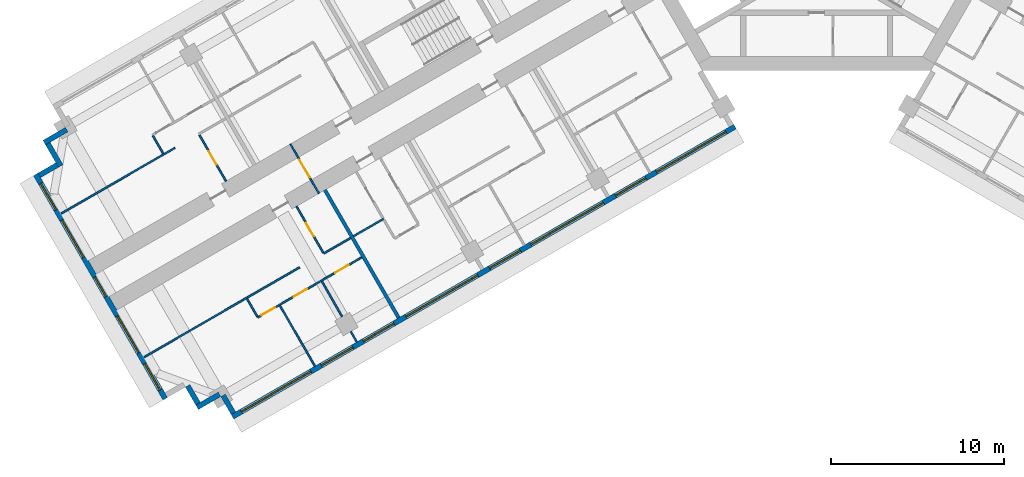
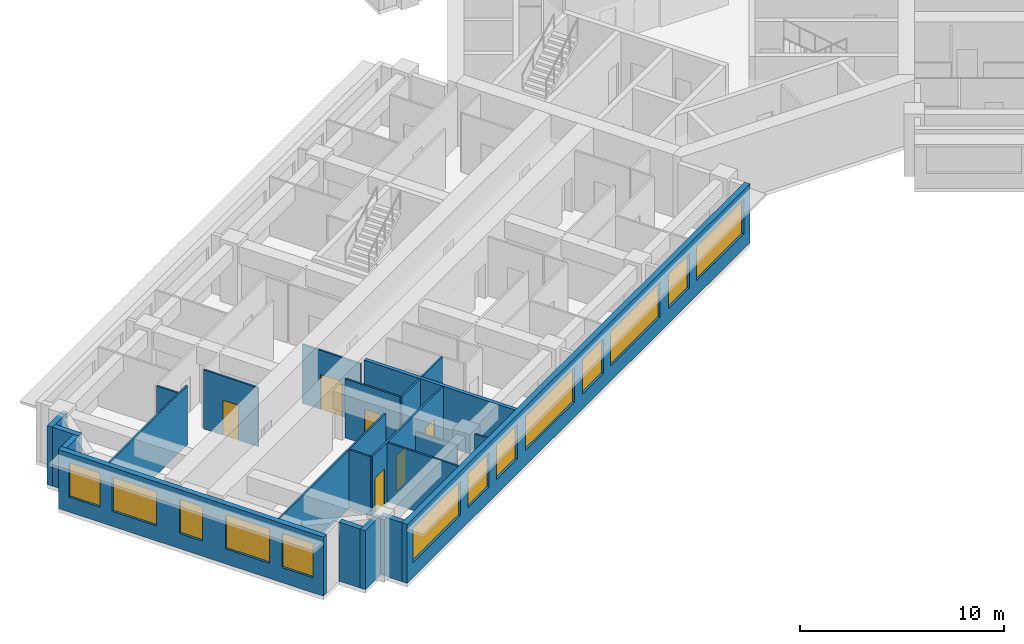
# One storey, part 3 of 14: 22 walls, 13 windows, 6 doors, 19 openings.
"""IFC4 building model written with IfcOpenShell, lengths in metres."""

import ifcopenshell
import ifcopenshell.guid

model = None  # the IFC model being written
_history = None  # IfcOwnerHistory: only IFC2X3 demands one
_inside = {}  # id of a spatial element -> (the spatial element, [elements in it])
_under = {}  # id of a project, library or spatial element -> (it, [spatial elements below it])
_declared = {}  # id of a project -> (the project, [libraries it declares])
_typed = {}  # id of a type object -> (the type object, [elements of that type])
_made_of = {}  # id of a material, layer set ... -> (it, [elements and type objects made of it])


def new_model(schema):
    """Start an empty IFC model of exactly this schema.

    Asked for "IFC4X3", IfcOpenShell would pick the latest addendum, in which some entities
    have other attributes; the version numbers below select the first issue.
    IFC2X3 requires an IfcOwnerHistory on every rooted entity: one is made here for all.
    """
    global model, _history
    if schema == "IFC4X3":
        model = ifcopenshell.file(schema_version=(4, 3, 0, 0))
    else:
        model = ifcopenshell.file(schema=schema)
    _inside.clear()
    _under.clear()
    _declared.clear()
    _typed.clear()
    _made_of.clear()
    _history = None
    if model.schema == "IFC2X3":
        org = make("IfcOrganization", Name="unknown")
        user = make(
            "IfcPersonAndOrganization",
            ThePerson=make("IfcPerson", FamilyName="unknown"),
            TheOrganization=org,
        )
        app = make(
            "IfcApplication",
            ApplicationDeveloper=org,
            Version="unknown",
            ApplicationFullName="unknown",
            ApplicationIdentifier="unknown",
        )
        _history = make(
            "IfcOwnerHistory",
            OwningUser=user,
            OwningApplication=app,
            ChangeAction="ADDED",
            CreationDate=0,
        )
    return model


def make(cls, **values):
    """One entity of the class cls with the attributes given. An attribute that is None is left unset."""
    return model.create_entity(
        cls, **{name: value for name, value in values.items() if value is not None}
    )


def rooted(cls, **values):
    """An entity with a GlobalId (a new one), such as an element, a storey or a relation."""
    return make(cls, GlobalId=ifcopenshell.guid.new(), OwnerHistory=_history, **values)


def si_unit(unit_type, name, prefix=None):
    """IfcSIUnit, for example si_unit("LENGTHUNIT", "METRE", prefix="MILLI")."""
    return make("IfcSIUnit", UnitType=unit_type, Prefix=prefix, Name=name)


def assignment(units):
    """IfcUnitAssignment: the units of a project."""
    return None if units is None else make("IfcUnitAssignment", Units=units)


def point(xyz):
    """IfcCartesianPoint."""
    return None if xyz is None else make("IfcCartesianPoint", Coordinates=xyz)


def direction(xyz):
    """IfcDirection."""
    return None if xyz is None else make("IfcDirection", DirectionRatios=xyz)


def frame(location, z_axis=None, x_axis=None):
    """IfcAxis2Placement3D, a coordinate frame: its origin and axes. An axis left out is left unset."""
    return make(
        "IfcAxis2Placement3D",
        Location=point(location),
        Axis=direction(z_axis),
        RefDirection=direction(x_axis),
    )


def frame_2d(location, x_axis=None):
    """IfcAxis2Placement2D, a coordinate frame in the plane: its origin and x axis."""
    return make(
        "IfcAxis2Placement2D", Location=point(location), RefDirection=direction(x_axis)
    )


def origin():
    """The frame at (0, 0, 0) with its axes left unset."""
    return frame((0.0, 0.0, 0.0))


def place(relative_to, where):
    """IfcLocalPlacement: puts the frame where relative to a parent placement (None: the world)."""
    return make(
        "IfcLocalPlacement", PlacementRelTo=relative_to, RelativePlacement=where
    )


def context(
    kind, dimensions, precision=None, world=None, true_north=None, identifier=None
):
    """IfcGeometricRepresentationContext, for example the 3D "Model" context."""
    return make(
        "IfcGeometricRepresentationContext",
        ContextIdentifier=identifier,
        ContextType=kind,
        CoordinateSpaceDimension=dimensions,
        Precision=precision,
        WorldCoordinateSystem=world,
        TrueNorth=true_north,
    )


def subcontext(parent, identifier, kind, view, scale=None):
    """IfcGeometricRepresentationSubContext, for example "Body" below "Model"."""
    return make(
        "IfcGeometricRepresentationSubContext",
        ContextIdentifier=identifier,
        ContextType=kind,
        ParentContext=parent,
        TargetScale=scale,
        TargetView=view,
    )


def project(units=None, contexts=None):
    """IfcProject with its units and contexts."""
    return rooted(
        "IfcProject",
        Name="project",
        RepresentationContexts=contexts,
        UnitsInContext=assignment(units),
    )


def spatial(cls, under=None, at=None, **own):
    """A site, building, storey or space (cls), placed at a placement, below another one or the project."""
    s = rooted(cls, ObjectPlacement=at, **own)
    if under is not None:
        _under.setdefault(under.id(), (under, []))[1].append(s)
    return s


def profile(cls, at=None, kind="AREA", **sizes):
    """A parametric profile (cls). Its sizes go by their IFC names, for example OverallWidth=200.0."""
    return make(cls, ProfileType=kind, Position=at, **sizes)


def rectangle(**sizes):
    """IfcRectangleProfileDef."""
    return profile("IfcRectangleProfileDef", **sizes)


def extrude(swept, where, along, depth):
    """IfcExtrudedAreaSolid: the profile swept, set in the frame where, extruded along a direction by depth."""
    return make(
        "IfcExtrudedAreaSolid",
        SweptArea=swept,
        Position=where,
        ExtrudedDirection=direction(along),
        Depth=depth,
    )


def shape(context_of_items, identifier, shape_type, items):
    """IfcShapeRepresentation: the items that make up one representation, for example the "Body"."""
    return make(
        "IfcShapeRepresentation",
        ContextOfItems=context_of_items,
        RepresentationIdentifier=identifier,
        RepresentationType=shape_type,
        Items=items,
    )


def material(Name=None, Category=None):
    """IfcMaterial."""
    return make("IfcMaterial", Name=Name, Category=Category)


def layer(
    of_material, thickness, ventilated=None, Name=None, Category=None, Priority=None
):
    """IfcMaterialLayer: one layer of a wall or slab, of a material (None: an air gap)."""
    return make(
        "IfcMaterialLayer",
        Material=of_material,
        LayerThickness=thickness,
        IsVentilated=ventilated,
        Name=Name,
        Category=Category,
        Priority=Priority,
    )


def layer_set(layers, Name=None):
    """IfcMaterialLayerSet."""
    return make("IfcMaterialLayerSet", MaterialLayers=layers, LayerSetName=Name)


def made_of(thing, what):
    """Note that an element or type object is made of a material, layer set ...; save() writes the relation."""
    if what is not None:
        _made_of.setdefault(what.id(), (what, []))[1].append(thing)
    return thing


def type_object(cls, material=None, **own):
    """A type object (cls), such as IfcWallType, which elements share."""
    return made_of(rooted(cls, **own), material)


def element(
    cls,
    number,
    at=None,
    inside=None,
    cuts=None,
    type_object=None,
    material=None,
    context=None,
    identifier="Body",
    shape_type=None,
    held_by="IfcProductDefinitionShape",
    body=None,
    shapes=None,
    **own,
):
    """One element of the class cls, such as IfcWall. Its Tag is "e" and its number.

    at: its placement. inside: the storey or other place that contains it. cuts: it is an
    opening in that element (IfcRelVoidsElement). A single representation is given by context,
    identifier, shape_type and body (its items); several are given by shapes. held_by: the class
    of the entity that holds the representations. save() writes the other relations.
    """
    e = rooted(cls, Tag="e%d" % number, ObjectPlacement=at, **own)
    if body is not None:
        shapes = [shape(context, identifier, shape_type, body)]
    if shapes is not None:
        e.Representation = make(held_by, Representations=shapes)
    if inside is not None:
        _inside.setdefault(inside.id(), (inside, []))[1].append(e)
    if cuts is not None:
        rooted(
            "IfcRelVoidsElement", RelatingBuildingElement=cuts, RelatedOpeningElement=e
        )
    if type_object is not None:
        _typed.setdefault(type_object.id(), (type_object, []))[1].append(e)
    return made_of(e, material)


def fill(opening, filler):
    """IfcRelFillsElement: the door or window that sits in an opening."""
    return rooted(
        "IfcRelFillsElement",
        RelatingOpeningElement=opening,
        RelatedBuildingElement=filler,
    )


def aggregate(whole, parts):
    """IfcRelAggregates: a whole, such as a stair, and the parts it consists of."""
    return rooted("IfcRelAggregates", RelatingObject=whole, RelatedObjects=parts)


def save(model, path):
    """Write the relations noted so far, then the file.

    IfcRelAggregates (storeys below a building ...), IfcRelContainedInSpatialStructure (elements
    in a storey), IfcRelDefinesByType, IfcRelAssociatesMaterial and IfcRelDeclares: one each for
    every whole, place, type object, material and project.
    """
    for whole, parts in _under.values():
        aggregate(whole, parts)
    for where, things in _inside.values():
        rooted(
            "IfcRelContainedInSpatialStructure",
            RelatedElements=things,
            RelatingStructure=where,
        )
    for kind, things in _typed.values():
        rooted("IfcRelDefinesByType", RelatedObjects=things, RelatingType=kind)
    for what, things in _made_of.values():
        rooted("IfcRelAssociatesMaterial", RelatedObjects=things, RelatingMaterial=what)
    for by, libraries in _declared.values():
        rooted("IfcRelDeclares", RelatingContext=by, RelatedDefinitions=libraries)
    model.write(path)


model = new_model("IFC4")

# Units and contexts
model_context = context("Model", 3, precision=1e-05, world=origin(), true_north=direction((0.0, 1.0)))
body_context = subcontext(model_context, "Body", "Model", "MODEL_VIEW")
ifc_project = project(units=[si_unit("LENGTHUNIT", "METRE"), si_unit("AREAUNIT", "SQUARE_METRE"), si_unit("VOLUMEUNIT", "CUBIC_METRE"), si_unit("PLANEANGLEUNIT", "RADIAN"), si_unit("MASSUNIT", "GRAM", prefix="KILO")], contexts=[model_context])

# Site, building, storey
site_placement = place(None, origin())
site = spatial("IfcSite", under=ifc_project, at=site_placement, CompositionType="ELEMENT")
building_placement = place(site_placement, origin())
building = spatial("IfcBuilding", under=site, at=building_placement, Name="Impinga Residences", CompositionType="ELEMENT")
storey_placement = place(building_placement, frame((0.0, 0.0, 121.0)))
storey = spatial("IfcBuildingStorey", under=building, at=storey_placement, Name="L29", CompositionType="ELEMENT", Elevation=121.0)

# Wall, opening, door
ifc_material_1 = material(Name="Concrete blockwork", Category="masonry")
ifc_layer_1 = layer(ifc_material_1, 0.10009765625)
ifc_layer_set_1 = layer_set([ifc_layer_1], Name="CP1 core room partition, blockwork 100")
wall_type_1 = type_object("IfcWallType", Name="CP1 core room partition, blockwork 100", PredefinedType="PARTITIONING", material=ifc_layer_set_1)
wall_1_placement = place(storey_placement, frame((-28.8203125, -18.544677734375, 0.0), z_axis=(0.0, 0.0, 1.0), x_axis=(-0.50002983664, 0.866008176907, 0.0)))
wall_1 = element("IfcWall", 1, at=wall_1_placement, inside=storey, type_object=wall_type_1, Name="Core room partition, blockwork L29:W:PLB", PredefinedType="PARTITIONING", context=body_context, shape_type="SweptSolid", body=[
    extrude(rectangle(XDim=3.300048828125, YDim=0.10009765625, at=frame_2d((1.64990234375, 0.0))), origin(), (0.0, 0.0, 1.0), 3.530029296875),
])
opening_1_placement = place(wall_1_placement, frame((1.050048828125, 0.0, 0.0)))
opening_1 = element("IfcOpeningElement", 2, at=opening_1_placement, cuts=wall_1, Name="Opening D3", PredefinedType="OPENING", context=body_context, shape_type="SweptSolid", body=[
    extrude(rectangle(XDim=1.199951171875, YDim=2.10009765625, at=frame_2d((0.60009765625, 1.050048828125))), frame((0.0, 0.06005859375, 0.0), z_axis=(0.0, -1.0, 0.0), x_axis=(1.0, 0.0, 0.0)), (0.0, 0.0, 1.0), 0.1201171875),
])
ifc_material_2 = material(Name="Timber door set", Category="wood")
door_type_1 = type_object("IfcDoorType", Name="D3 room door, leaf and a half 1200x2100", OperationType="DOUBLE_SWING_LEFT", PredefinedType="DOOR", material=ifc_material_2)
door_1_placement = place(opening_1_placement, origin())
door_1 = element("IfcDoor", 3, at=door_1_placement, inside=storey, type_object=door_type_1, Name="Private lobby door W", OperationType="DOUBLE_SWING_LEFT", OverallHeight=2.10009765625, OverallWidth=1.199951171875, PredefinedType="DOOR", context=body_context, shape_type="SweptSolid", body=[
    extrude(rectangle(XDim=1.199951171875, YDim=2.10009765625, at=frame_2d((0.60009765625, 1.050048828125))), frame((0.0, 0.02490234375, 0.0), z_axis=(0.0, -1.0, 0.0), x_axis=(1.0, 0.0, 0.0)), (0.0, 0.0, 1.0), 0.050048828125),
])
fill(opening_1, door_1)

# Walls
ifc_material_3 = material(Name="Terracotta rainscreen on blockwork", Category="masonry")
ifc_layer_2 = layer(ifc_material_3, 0.300048828125)
ifc_layer_set_2 = layer_set([ifc_layer_2], Name="EW1 external wall, terracotta rainscreen on blockwork 300")
wall_type_2 = type_object("IfcWallType", Name="EW1 external wall, terracotta rainscreen on blockwork 300", PredefinedType="SOLIDWALL", material=ifc_layer_set_2)
wall_2_placement = place(storey_placement, frame((-33.7685546875, -31.274169921875, 0.0), z_axis=(0.0, 0.0, 1.0), x_axis=(-0.499940577336, 0.866059708757, 0.0)))
element("IfcWall", 4, at=wall_2_placement, inside=storey, type_object=wall_type_2, Name="External wall EW1 L29", PredefinedType="SOLIDWALL", context=body_context, shape_type="SweptSolid", body=[
    extrude(rectangle(XDim=1.195068359375, YDim=0.300048828125, at=frame_2d((0.59765625, 0.0))), origin(), (0.0, 0.0, 1.0), 3.530029296875),
])
wall_3_placement = place(storey_placement, frame((-34.573486328125, -30.18017578125, 0.0), z_axis=(0.0, 0.0, 1.0), x_axis=(-0.866031096941, -0.499990139034, 0.0)))
element("IfcWall", 5, at=wall_3_placement, inside=storey, type_object=wall_type_2, Name="External wall EW1 L29", PredefinedType="SOLIDWALL", context=body_context, shape_type="SweptSolid", body=[
    extrude(rectangle(XDim=1.5, YDim=0.300048828125, at=frame_2d((0.75, 0.0))), origin(), (0.0, 0.0, 1.0), 3.530029296875),
])
wall_4_placement = place(storey_placement, frame((-35.817626953125, -30.72509765625, 0.0), z_axis=(0.0, 0.0, 1.0), x_axis=(-0.499969057507, 0.866043267704, 0.0)))
element("IfcWall", 6, at=wall_4_placement, inside=storey, type_object=wall_type_2, Name="External wall EW1 L29", PredefinedType="SOLIDWALL", context=body_context, shape_type="SweptSolid", body=[
    extrude(rectangle(XDim=1.19970703125, YDim=0.300048828125, at=frame_2d((0.599853515625, 0.0))), origin(), (0.0, 0.0, 1.0), 3.530029296875),
])

# Wall, openings, windows
wall_5_placement = place(storey_placement, frame((-37.716552734375, -30.43603515625, 0.0), z_axis=(0.0, 0.0, 1.0), x_axis=(-0.499997186618, 0.866027028085, 0.0)))
wall_5 = element("IfcWall", 7, at=wall_5_placement, inside=storey, type_object=wall_type_2, Name="External wall EW1 L29", PredefinedType="SOLIDWALL", context=body_context, shape_type="SweptSolid", body=[
    extrude(rectangle(XDim=15.0, YDim=0.300048828125, at=frame_2d((7.5, 0.0))), origin(), (0.0, 0.0, 1.0), 3.530029296875),
])
opening_2_placement = place(wall_5_placement, frame((0.60009765625, 0.0, 0.89990234375)))
opening_2 = element("IfcOpeningElement", 8, at=opening_2_placement, cuts=wall_5, Name="Opening W1", PredefinedType="OPENING", context=body_context, shape_type="SweptSolid", body=[
    extrude(rectangle(XDim=1.75, YDim=2.050048828125, at=frame_2d((0.875, 1.02490234375))), frame((0.0, 0.159912109375, 0.0), z_axis=(0.0, -1.0, 0.0), x_axis=(1.0, 0.0, 0.0)), (0.0, 0.0, 1.0), 0.320068359375),
])
opening_3_placement = place(wall_5_placement, frame((3.050048828125, 0.0, 0.89990234375)))
opening_3 = element("IfcOpeningElement", 9, at=opening_3_placement, cuts=wall_5, Name="Opening W2", PredefinedType="OPENING", context=body_context, shape_type="SweptSolid", body=[
    extrude(rectangle(XDim=2.5, YDim=2.050048828125, at=frame_2d((1.25, 1.02490234375))), frame((0.0, 0.159912109375, 0.0), z_axis=(0.0, -1.0, 0.0), x_axis=(1.0, 0.0, 0.0)), (0.0, 0.0, 1.0), 0.320068359375),
])
opening_4_placement = place(wall_5_placement, frame((6.85009765625, 0.0, 0.89990234375)))
opening_4 = element("IfcOpeningElement", 10, at=opening_4_placement, cuts=wall_5, Name="Opening W17", PredefinedType="OPENING", context=body_context, shape_type="SweptSolid", body=[
    extrude(rectangle(XDim=1.300048828125, YDim=2.050048828125, at=frame_2d((0.64990234375, 1.02490234375))), frame((0.0, 0.159912109375, 0.0), z_axis=(0.0, -1.0, 0.0), x_axis=(1.0, 0.0, 0.0)), (0.0, 0.0, 1.0), 0.320068359375),
])
opening_5_placement = place(wall_5_placement, frame((9.449951171875, 0.0, 0.89990234375)))
opening_5 = element("IfcOpeningElement", 11, at=opening_5_placement, cuts=wall_5, Name="Opening W2", PredefinedType="OPENING", context=body_context, shape_type="SweptSolid", body=[
    extrude(rectangle(XDim=2.5, YDim=2.050048828125, at=frame_2d((1.25, 1.02490234375))), frame((0.0, 0.159912109375, 0.0), z_axis=(0.0, -1.0, 0.0), x_axis=(1.0, 0.0, 0.0)), (0.0, 0.0, 1.0), 0.320068359375),
])
opening_6_placement = place(wall_5_placement, frame((12.64990234375, 0.0, 0.89990234375)))
opening_6 = element("IfcOpeningElement", 12, at=opening_6_placement, cuts=wall_5, Name="Opening W1", PredefinedType="OPENING", context=body_context, shape_type="SweptSolid", body=[
    extrude(rectangle(XDim=1.75, YDim=2.050048828125, at=frame_2d((0.875, 1.02490234375))), frame((0.0, 0.159912109375, 0.0), z_axis=(0.0, -1.0, 0.0), x_axis=(1.0, 0.0, 0.0)), (0.0, 0.0, 1.0), 0.320068359375),
])
ifc_material_4 = material(Name="Aluminium window, clear double glazing", Category="aluminium")
window_type_1 = type_object("IfcWindowType", Name="W1 ribbon window 1750x2050", PartitioningType="SINGLE_PANEL", PredefinedType="WINDOW", material=ifc_material_4)
window_1_placement = place(opening_2_placement, origin())
window_1 = element("IfcWindow", 13, at=window_1_placement, inside=storey, type_object=window_type_1, Name="Window L29", OverallHeight=2.050048828125, OverallWidth=1.75, PartitioningType="SINGLE_PANEL", PredefinedType="WINDOW", context=body_context, shape_type="SweptSolid", body=[
    extrude(rectangle(XDim=1.75, YDim=2.050048828125, at=frame_2d((0.875, 1.02490234375))), frame((0.0, 0.030029296875, 0.0), z_axis=(0.0, -1.0, 0.0), x_axis=(1.0, 0.0, 0.0)), (0.0, 0.0, 1.0), 0.06005859375),
])
fill(opening_2, window_1)
window_2_placement = place(opening_6_placement, origin())
window_2 = element("IfcWindow", 14, at=window_2_placement, inside=storey, type_object=window_type_1, Name="Window L29", OverallHeight=2.050048828125, OverallWidth=1.75, PartitioningType="SINGLE_PANEL", PredefinedType="WINDOW", context=body_context, shape_type="SweptSolid", body=[
    extrude(rectangle(XDim=1.75, YDim=2.050048828125, at=frame_2d((0.875, 1.02490234375))), frame((0.0, 0.030029296875, 0.0), z_axis=(0.0, -1.0, 0.0), x_axis=(1.0, 0.0, 0.0)), (0.0, 0.0, 1.0), 0.06005859375),
])
fill(opening_6, window_2)
window_type_2 = type_object("IfcWindowType", Name="W17 ribbon window 1300x2050", PartitioningType="SINGLE_PANEL", PredefinedType="WINDOW", material=ifc_material_4)
window_3_placement = place(opening_4_placement, origin())
window_3 = element("IfcWindow", 15, at=window_3_placement, inside=storey, type_object=window_type_2, Name="Window L29", OverallHeight=2.050048828125, OverallWidth=1.300048828125, PartitioningType="SINGLE_PANEL", PredefinedType="WINDOW", context=body_context, shape_type="SweptSolid", body=[
    extrude(rectangle(XDim=1.300048828125, YDim=2.050048828125, at=frame_2d((0.64990234375, 1.02490234375))), frame((0.0, 0.030029296875, 0.0), z_axis=(0.0, -1.0, 0.0), x_axis=(1.0, 0.0, 0.0)), (0.0, 0.0, 1.0), 0.06005859375),
])
fill(opening_4, window_3)
window_type_3 = type_object("IfcWindowType", Name="W2 ribbon window 2500x2050", PartitioningType="SINGLE_PANEL", PredefinedType="WINDOW", material=ifc_material_4)
window_4_placement = place(opening_3_placement, origin())
window_4 = element("IfcWindow", 16, at=window_4_placement, inside=storey, type_object=window_type_3, Name="Window L29", OverallHeight=2.050048828125, OverallWidth=2.5, PartitioningType="SINGLE_PANEL", PredefinedType="WINDOW", context=body_context, shape_type="SweptSolid", body=[
    extrude(rectangle(XDim=2.5, YDim=2.050048828125, at=frame_2d((1.25, 1.02490234375))), frame((0.0, 0.030029296875, 0.0), z_axis=(0.0, -1.0, 0.0), x_axis=(1.0, 0.0, 0.0)), (0.0, 0.0, 1.0), 0.06005859375),
])
fill(opening_3, window_4)
window_5_placement = place(opening_5_placement, origin())
window_5 = element("IfcWindow", 17, at=window_5_placement, inside=storey, type_object=window_type_3, Name="Window L29", OverallHeight=2.050048828125, OverallWidth=2.5, PartitioningType="SINGLE_PANEL", PredefinedType="WINDOW", context=body_context, shape_type="SweptSolid", body=[
    extrude(rectangle(XDim=2.5, YDim=2.050048828125, at=frame_2d((1.25, 1.02490234375))), frame((0.0, 0.030029296875, 0.0), z_axis=(0.0, -1.0, 0.0), x_axis=(1.0, 0.0, 0.0)), (0.0, 0.0, 1.0), 0.06005859375),
])
fill(opening_5, window_5)

# Walls
wall_6_placement = place(storey_placement, frame((-45.01171875, -17.50048828125, 0.0), z_axis=(0.0, 0.0, 1.0), x_axis=(0.866059708757, 0.499940577336, 0.0)))
element("IfcWall", 18, at=wall_6_placement, inside=storey, type_object=wall_type_2, Name="External wall EW1 L29", PredefinedType="SOLIDWALL", context=body_context, shape_type="SweptSolid", body=[
    extrude(rectangle(XDim=1.195068359375, YDim=0.300048828125, at=frame_2d((0.59765625, 0.0))), origin(), (0.0, 0.0, 1.0), 3.530029296875),
])
for number, where, z_axis, x_axis, name in (
    (19, (-43.767578125, -16.955322265625, 0.0), (0.0, 0.0, 1.0), (-0.499990139034, 0.866031096941, 0.0), "External wall EW1 L29"),
    (20, (-44.722412109375, -15.6015625, 0.0), (0.0, 0.0, 1.0), (0.866031096941, 0.499990139034, 0.0), "External wall EW1 L29"),
):
    element("IfcWall", number, at=place(storey_placement, frame(where, z_axis=z_axis, x_axis=x_axis)), inside=storey, type_object=wall_type_2, Name=name, PredefinedType="SOLIDWALL", context=body_context, shape_type="SweptSolid", body=[
        extrude(rectangle(XDim=1.5, YDim=0.300048828125, at=frame_2d((0.75, 0.0))), origin(), (0.0, 0.0, 1.0), 3.530029296875),
    ])

# Wall, openings, windows
wall_7_placement = place(storey_placement, frame((-4.72509765625, -14.67919921875, 0.0), z_axis=(0.0, 0.0, 1.0), x_axis=(-0.866024291668, -0.500001926238, 0.0)))
wall_7 = element("IfcWall", 21, at=wall_7_placement, inside=storey, type_object=wall_type_2, Name="External wall EW1 L29", PredefinedType="SOLIDWALL", context=body_context, shape_type="SweptSolid", body=[
    extrude(rectangle(XDim=33.599853515625, YDim=0.300048828125, at=frame_2d((16.7998046875, 0.0))), origin(), (0.0, 0.0, 1.0), 3.530029296875),
])
opening_7_placement = place(wall_7_placement, frame((0.60009765625, 0.0, 0.89990234375)))
opening_7 = element("IfcOpeningElement", 22, at=opening_7_placement, cuts=wall_7, Name="Opening W10", PredefinedType="OPENING", context=body_context, shape_type="SweptSolid", body=[
    extrude(rectangle(XDim=4.64990234375, YDim=2.050048828125, at=frame_2d((2.324951171875, 1.02490234375))), frame((0.0, 0.159912109375, 0.0), z_axis=(0.0, -1.0, 0.0), x_axis=(1.0, 0.0, 0.0)), (0.0, 0.0, 1.0), 0.320068359375),
])
opening_8_placement = place(wall_7_placement, frame((5.949951171875, 0.0, 0.89990234375)))
opening_8 = element("IfcOpeningElement", 23, at=opening_8_placement, cuts=wall_7, Name="Opening W14", PredefinedType="OPENING", context=body_context, shape_type="SweptSolid", body=[
    extrude(rectangle(XDim=2.050048828125, YDim=2.050048828125, at=frame_2d((1.02490234375, 1.02490234375))), frame((0.0, 0.159912109375, 0.0), z_axis=(0.0, -1.0, 0.0), x_axis=(1.0, 0.0, 0.0)), (0.0, 0.0, 1.0), 0.320068359375),
])
opening_9_placement = place(wall_7_placement, frame((8.800048828125, 0.0, 0.89990234375)))
opening_9 = element("IfcOpeningElement", 24, at=opening_9_placement, cuts=wall_7, Name="Opening W6", PredefinedType="OPENING", context=body_context, shape_type="SweptSolid", body=[
    extrude(rectangle(XDim=4.85009765625, YDim=2.050048828125, at=frame_2d((2.425048828125, 1.02490234375))), frame((0.0, 0.159912109375, 0.0), z_axis=(0.0, -1.0, 0.0), x_axis=(1.0, 0.0, 0.0)), (0.0, 0.0, 1.0), 0.320068359375),
])
opening_10_placement = place(wall_7_placement, frame((14.35009765625, 0.0, 0.89990234375)))
opening_10 = element("IfcOpeningElement", 25, at=opening_10_placement, cuts=wall_7, Name="Opening W14", PredefinedType="OPENING", context=body_context, shape_type="SweptSolid", body=[
    extrude(rectangle(XDim=2.050048828125, YDim=2.050048828125, at=frame_2d((1.02490234375, 1.02490234375))), frame((0.0, 0.159912109375, 0.0), z_axis=(0.0, -1.0, 0.0), x_axis=(1.0, 0.0, 0.0)), (0.0, 0.0, 1.0), 0.320068359375),
])
opening_11_placement = place(wall_7_placement, frame((17.199951171875, 0.0, 0.89990234375)))
opening_11 = element("IfcOpeningElement", 26, at=opening_11_placement, cuts=wall_7, Name="Opening W8", PredefinedType="OPENING", context=body_context, shape_type="SweptSolid", body=[
    extrude(rectangle(XDim=4.800048828125, YDim=2.050048828125, at=frame_2d((2.39990234375, 1.02490234375))), frame((0.0, 0.159912109375, 0.0), z_axis=(0.0, -1.0, 0.0), x_axis=(1.0, 0.0, 0.0)), (0.0, 0.0, 1.0), 0.320068359375),
])
opening_12_placement = place(wall_7_placement, frame((22.800048828125, 0.0, 0.89990234375)))
opening_12 = element("IfcOpeningElement", 27, at=opening_12_placement, cuts=wall_7, Name="Opening W14", PredefinedType="OPENING", context=body_context, shape_type="SweptSolid", body=[
    extrude(rectangle(XDim=2.050048828125, YDim=2.050048828125, at=frame_2d((1.02490234375, 1.02490234375))), frame((0.0, 0.159912109375, 0.0), z_axis=(0.0, -1.0, 0.0), x_axis=(1.0, 0.0, 0.0)), (0.0, 0.0, 1.0), 0.320068359375),
])
opening_13_placement = place(wall_7_placement, frame((25.550048828125, 0.0, 0.89990234375)))
opening_13 = element("IfcOpeningElement", 28, at=opening_13_placement, cuts=wall_7, Name="Opening W9", PredefinedType="OPENING", context=body_context, shape_type="SweptSolid", body=[
    extrude(rectangle(XDim=2.10009765625, YDim=2.050048828125, at=frame_2d((1.050048828125, 1.02490234375))), frame((0.0, 0.159912109375, 0.0), z_axis=(0.0, -1.0, 0.0), x_axis=(1.0, 0.0, 0.0)), (0.0, 0.0, 1.0), 0.320068359375),
])
opening_14_placement = place(wall_7_placement, frame((28.35009765625, 0.0, 0.89990234375)))
opening_14 = element("IfcOpeningElement", 29, at=opening_14_placement, cuts=wall_7, Name="Opening W10", PredefinedType="OPENING", context=body_context, shape_type="SweptSolid", body=[
    extrude(rectangle(XDim=4.64990234375, YDim=2.050048828125, at=frame_2d((2.324951171875, 1.02490234375))), frame((0.0, 0.159912109375, 0.0), z_axis=(0.0, -1.0, 0.0), x_axis=(1.0, 0.0, 0.0)), (0.0, 0.0, 1.0), 0.320068359375),
])
window_type_4 = type_object("IfcWindowType", Name="W10 ribbon window 4650x2050", PartitioningType="SINGLE_PANEL", PredefinedType="WINDOW", material=ifc_material_4)
window_6_placement = place(opening_7_placement, origin())
window_6 = element("IfcWindow", 30, at=window_6_placement, inside=storey, type_object=window_type_4, Name="Window L29", OverallHeight=2.050048828125, OverallWidth=4.64990234375, PartitioningType="SINGLE_PANEL", PredefinedType="WINDOW", context=body_context, shape_type="SweptSolid", body=[
    extrude(rectangle(XDim=4.64990234375, YDim=2.050048828125, at=frame_2d((2.324951171875, 1.02490234375))), frame((0.0, 0.030029296875, 0.0), z_axis=(0.0, -1.0, 0.0), x_axis=(1.0, 0.0, 0.0)), (0.0, 0.0, 1.0), 0.06005859375),
])
fill(opening_7, window_6)
window_7_placement = place(opening_14_placement, origin())
window_7 = element("IfcWindow", 31, at=window_7_placement, inside=storey, type_object=window_type_4, Name="Window L29", OverallHeight=2.050048828125, OverallWidth=4.64990234375, PartitioningType="SINGLE_PANEL", PredefinedType="WINDOW", context=body_context, shape_type="SweptSolid", body=[
    extrude(rectangle(XDim=4.64990234375, YDim=2.050048828125, at=frame_2d((2.324951171875, 1.02490234375))), frame((0.0, 0.030029296875, 0.0), z_axis=(0.0, -1.0, 0.0), x_axis=(1.0, 0.0, 0.0)), (0.0, 0.0, 1.0), 0.06005859375),
])
fill(opening_14, window_7)
window_type_5 = type_object("IfcWindowType", Name="W14 ribbon window 2050x2050", PartitioningType="SINGLE_PANEL", PredefinedType="WINDOW", material=ifc_material_4)
window_8_placement = place(opening_8_placement, origin())
window_8 = element("IfcWindow", 32, at=window_8_placement, inside=storey, type_object=window_type_5, Name="Window L29", OverallHeight=2.050048828125, OverallWidth=2.050048828125, PartitioningType="SINGLE_PANEL", PredefinedType="WINDOW", context=body_context, shape_type="SweptSolid", body=[
    extrude(rectangle(XDim=2.050048828125, YDim=2.050048828125, at=frame_2d((1.02490234375, 1.02490234375))), frame((0.0, 0.030029296875, 0.0), z_axis=(0.0, -1.0, 0.0), x_axis=(1.0, 0.0, 0.0)), (0.0, 0.0, 1.0), 0.06005859375),
])
fill(opening_8, window_8)
window_9_placement = place(opening_10_placement, origin())
window_9 = element("IfcWindow", 33, at=window_9_placement, inside=storey, type_object=window_type_5, Name="Window L29", OverallHeight=2.050048828125, OverallWidth=2.050048828125, PartitioningType="SINGLE_PANEL", PredefinedType="WINDOW", context=body_context, shape_type="SweptSolid", body=[
    extrude(rectangle(XDim=2.050048828125, YDim=2.050048828125, at=frame_2d((1.02490234375, 1.02490234375))), frame((0.0, 0.030029296875, 0.0), z_axis=(0.0, -1.0, 0.0), x_axis=(1.0, 0.0, 0.0)), (0.0, 0.0, 1.0), 0.06005859375),
])
fill(opening_10, window_9)
window_10_placement = place(opening_12_placement, origin())
window_10 = element("IfcWindow", 34, at=window_10_placement, inside=storey, type_object=window_type_5, Name="Window L29", OverallHeight=2.050048828125, OverallWidth=2.050048828125, PartitioningType="SINGLE_PANEL", PredefinedType="WINDOW", context=body_context, shape_type="SweptSolid", body=[
    extrude(rectangle(XDim=2.050048828125, YDim=2.050048828125, at=frame_2d((1.02490234375, 1.02490234375))), frame((0.0, 0.030029296875, 0.0), z_axis=(0.0, -1.0, 0.0), x_axis=(1.0, 0.0, 0.0)), (0.0, 0.0, 1.0), 0.06005859375),
])
fill(opening_12, window_10)
window_type_6 = type_object("IfcWindowType", Name="W6 ribbon window 4850x2050", PartitioningType="SINGLE_PANEL", PredefinedType="WINDOW", material=ifc_material_4)
window_11_placement = place(opening_9_placement, origin())
window_11 = element("IfcWindow", 35, at=window_11_placement, inside=storey, type_object=window_type_6, Name="Window L29", OverallHeight=2.050048828125, OverallWidth=4.85009765625, PartitioningType="SINGLE_PANEL", PredefinedType="WINDOW", context=body_context, shape_type="SweptSolid", body=[
    extrude(rectangle(XDim=4.85009765625, YDim=2.050048828125, at=frame_2d((2.425048828125, 1.02490234375))), frame((0.0, 0.030029296875, 0.0), z_axis=(0.0, -1.0, 0.0), x_axis=(1.0, 0.0, 0.0)), (0.0, 0.0, 1.0), 0.06005859375),
])
fill(opening_9, window_11)
window_type_7 = type_object("IfcWindowType", Name="W8 ribbon window 4800x2050", PartitioningType="SINGLE_PANEL", PredefinedType="WINDOW", material=ifc_material_4)
window_12_placement = place(opening_11_placement, origin())
window_12 = element("IfcWindow", 36, at=window_12_placement, inside=storey, type_object=window_type_7, Name="Window L29", OverallHeight=2.050048828125, OverallWidth=4.800048828125, PartitioningType="SINGLE_PANEL", PredefinedType="WINDOW", context=body_context, shape_type="SweptSolid", body=[
    extrude(rectangle(XDim=4.800048828125, YDim=2.050048828125, at=frame_2d((2.39990234375, 1.02490234375))), frame((0.0, 0.030029296875, 0.0), z_axis=(0.0, -1.0, 0.0), x_axis=(1.0, 0.0, 0.0)), (0.0, 0.0, 1.0), 0.06005859375),
])
fill(opening_11, window_12)
window_type_8 = type_object("IfcWindowType", Name="W9 ribbon window 2100x2050", PartitioningType="SINGLE_PANEL", PredefinedType="WINDOW", material=ifc_material_4)
window_13_placement = place(opening_13_placement, origin())
window_13 = element("IfcWindow", 37, at=window_13_placement, inside=storey, type_object=window_type_8, Name="Window L29", OverallHeight=2.050048828125, OverallWidth=2.10009765625, PartitioningType="SINGLE_PANEL", PredefinedType="WINDOW", context=body_context, shape_type="SweptSolid", body=[
    extrude(rectangle(XDim=2.10009765625, YDim=2.050048828125, at=frame_2d((1.050048828125, 1.02490234375))), frame((0.0, 0.030029296875, 0.0), z_axis=(0.0, -1.0, 0.0), x_axis=(1.0, 0.0, 0.0)), (0.0, 0.0, 1.0), 0.06005859375),
])
fill(opening_13, window_13)

# Walls
ifc_material_5 = material(Name="Gypsum board on steel studs", Category="steel")
ifc_layer_3 = layer(ifc_material_5, 0.10009765625)
ifc_layer_set_3 = layer_set([ifc_layer_3], Name="Gypsum board on steel studs")
wall_type_3 = type_object("IfcWallType", Name="IP1 partition 100", PredefinedType="PARTITIONING", material=ifc_layer_set_3)
wall_8_placement = place(storey_placement, frame((-25.080322265625, -20.022705078125, 0.0), z_axis=(0.0, 0.0, 1.0), x_axis=(-0.866010750942, -0.50002537861, 0.0)))
element("IfcWall", 38, at=wall_8_placement, inside=storey, type_object=wall_type_3, Name="Partition L29-WA3:DIV1", PredefinedType="PARTITIONING", context=body_context, shape_type="SweptSolid", body=[
    extrude(rectangle(XDim=2.0, YDim=0.10009765625, at=frame_2d((1.0, 0.0))), origin(), (0.0, 0.0, 1.0), 3.530029296875),
])
wall_9_placement = place(storey_placement, frame((-26.985595703125, -21.122802734375, 0.0), z_axis=(0.0, 0.0, 1.0), x_axis=(-0.866047807691, -0.499961193289, 0.0)))
element("IfcWall", 39, at=wall_9_placement, inside=storey, type_object=wall_type_3, Name="Partition L29-WA4:DIV0", PredefinedType="PARTITIONING", context=body_context, shape_type="SweptSolid", body=[
    extrude(rectangle(XDim=1.800048828125, YDim=0.10009765625, at=frame_2d((0.89990234375, 0.0))), origin(), (0.0, 0.0, 1.0), 3.530029296875),
])
wall_10_placement = place(storey_placement, frame((-29.93017578125, -22.82275390625, 0.0), z_axis=(0.0, 0.0, 1.0), x_axis=(-0.866025696342, -0.499999493275, 0.0)))
element("IfcWall", 40, at=wall_10_placement, inside=storey, type_object=wall_type_3, Name="Partition L29-WA4:DIV1", PredefinedType="PARTITIONING", context=body_context, shape_type="SweptSolid", body=[
    extrude(rectangle(XDim=10.39990234375, YDim=0.10009765625, at=frame_2d((5.199951171875, 0.0))), origin(), (0.0, 0.0, 1.0), 3.530029296875),
])

# Wall, openings, doors
wall_11_placement = place(storey_placement, frame((-26.335693359375, -22.24853515625, 0.0), z_axis=(0.0, 0.0, 1.0), x_axis=(-0.866016523273, -0.500015381182, 0.0)))
wall_11 = element("IfcWall", 41, at=wall_11_placement, inside=storey, type_object=wall_type_3, Name="Partition L29-WA4:STRIP", PredefinedType="PARTITIONING", context=body_context, shape_type="SweptSolid", body=[
    extrude(rectangle(XDim=6.949951171875, YDim=0.10009765625, at=frame_2d((3.47509765625, 0.0))), origin(), (0.0, 0.0, 1.0), 3.530029296875),
])
opening_15_placement = place(wall_11_placement, frame((0.875, 0.0, 0.0)))
opening_15 = element("IfcOpeningElement", 42, at=opening_15_placement, cuts=wall_11, Name="Opening D2", PredefinedType="OPENING", context=body_context, shape_type="SweptSolid", body=[
    extrude(rectangle(XDim=0.89990234375, YDim=2.10009765625, at=frame_2d((0.449951171875, 1.050048828125))), frame((0.0, 0.06005859375, 0.0), z_axis=(0.0, -1.0, 0.0), x_axis=(1.0, 0.0, 0.0)), (0.0, 0.0, 1.0), 0.1201171875),
])
opening_16_placement = place(wall_11_placement, frame((3.64990234375, 0.0, 0.0)))
opening_16 = element("IfcOpeningElement", 43, at=opening_16_placement, cuts=wall_11, Name="Opening D2", PredefinedType="OPENING", context=body_context, shape_type="SweptSolid", body=[
    extrude(rectangle(XDim=0.89990234375, YDim=2.10009765625, at=frame_2d((0.449951171875, 1.050048828125))), frame((0.0, 0.06005859375, 0.0), z_axis=(0.0, -1.0, 0.0), x_axis=(1.0, 0.0, 0.0)), (0.0, 0.0, 1.0), 0.1201171875),
])
opening_17_placement = place(wall_11_placement, frame((5.800048828125, 0.0, 0.0)))
opening_17 = element("IfcOpeningElement", 44, at=opening_17_placement, cuts=wall_11, Name="Opening D2", PredefinedType="OPENING", context=body_context, shape_type="SweptSolid", body=[
    extrude(rectangle(XDim=0.89990234375, YDim=2.10009765625, at=frame_2d((0.449951171875, 1.050048828125))), frame((0.0, 0.06005859375, 0.0), z_axis=(0.0, -1.0, 0.0), x_axis=(1.0, 0.0, 0.0)), (0.0, 0.0, 1.0), 0.1201171875),
])
door_type_2 = type_object("IfcDoorType", Name="D2 internal door 900x2100", OperationType="SINGLE_SWING_LEFT", PredefinedType="DOOR", material=ifc_material_2)
door_2_placement = place(opening_15_placement, origin())
door_2 = element("IfcDoor", 45, at=door_2_placement, inside=storey, type_object=door_type_2, Name="Apartment L29-WA4 room door", OperationType="SINGLE_SWING_LEFT", OverallHeight=2.10009765625, OverallWidth=0.89990234375, PredefinedType="DOOR", context=body_context, shape_type="SweptSolid", body=[
    extrude(rectangle(XDim=0.89990234375, YDim=2.10009765625, at=frame_2d((0.449951171875, 1.050048828125))), frame((0.0, 0.02490234375, 0.0), z_axis=(0.0, -1.0, 0.0), x_axis=(1.0, 0.0, 0.0)), (0.0, 0.0, 1.0), 0.050048828125),
])
fill(opening_15, door_2)
door_3_placement = place(opening_16_placement, origin())
door_3 = element("IfcDoor", 46, at=door_3_placement, inside=storey, type_object=door_type_2, Name="Apartment L29-WA4 room door", OperationType="SINGLE_SWING_RIGHT", OverallHeight=2.10009765625, OverallWidth=0.89990234375, PredefinedType="DOOR", context=body_context, shape_type="SweptSolid", body=[
    extrude(rectangle(XDim=0.89990234375, YDim=2.10009765625, at=frame_2d((0.449951171875, 1.050048828125))), frame((0.0, 0.02490234375, 0.0), z_axis=(0.0, -1.0, 0.0), x_axis=(1.0, 0.0, 0.0)), (0.0, 0.0, 1.0), 0.050048828125),
])
fill(opening_16, door_3)
door_4_placement = place(opening_17_placement, origin())
door_4 = element("IfcDoor", 47, at=door_4_placement, inside=storey, type_object=door_type_2, Name="Apartment L29-WA4 room door", OperationType="SINGLE_SWING_RIGHT", OverallHeight=2.10009765625, OverallWidth=0.89990234375, PredefinedType="DOOR", context=body_context, shape_type="SweptSolid", body=[
    extrude(rectangle(XDim=0.89990234375, YDim=2.10009765625, at=frame_2d((0.449951171875, 1.050048828125))), frame((0.0, 0.02490234375, 0.0), z_axis=(0.0, -1.0, 0.0), x_axis=(1.0, 0.0, 0.0)), (0.0, 0.0, 1.0), 0.050048828125),
])
fill(opening_17, door_4)

# Wall
wall_12_placement = place(storey_placement, frame((-32.9794921875, -24.640869140625, 0.0), z_axis=(0.0, 0.0, 1.0), x_axis=(0.500033551112, -0.866006032174, 0.0)))
element("IfcWall", 48, at=wall_12_placement, inside=storey, type_object=wall_type_3, Name="Partition L29-WA4:SE1", PredefinedType="PARTITIONING", context=body_context, shape_type="SweptSolid", body=[
    extrude(rectangle(XDim=1.2001953125, YDim=0.10009765625, at=frame_2d((0.60009765625, 0.0))), origin(), (0.0, 0.0, 1.0), 3.530029296875),
])

# Wall, opening, door
wall_13_placement = place(storey_placement, frame((-30.119384765625, -19.294677734375, 0.0), z_axis=(0.0, 0.0, 1.0), x_axis=(0.49999285859, -0.86602952684, 0.0)))
wall_13 = element("IfcWall", 49, at=wall_13_placement, inside=storey, type_object=wall_type_3, Name="Partition L29-WA4:IB1", PredefinedType="PARTITIONING", context=body_context, shape_type="SweptSolid", body=[
    extrude(rectangle(XDim=3.10009765625, YDim=0.10009765625, at=frame_2d((1.550048828125, 0.0))), origin(), (0.0, 0.0, 1.0), 3.530029296875),
])
opening_18_placement = place(wall_13_placement, frame((1.10009765625, 0.0, 0.0)))
opening_18 = element("IfcOpeningElement", 50, at=opening_18_placement, cuts=wall_13, Name="Opening D2", PredefinedType="OPENING", context=body_context, shape_type="SweptSolid", body=[
    extrude(rectangle(XDim=0.89990234375, YDim=2.10009765625, at=frame_2d((0.449951171875, 1.050048828125))), frame((0.0, 0.06005859375, 0.0), z_axis=(0.0, -1.0, 0.0), x_axis=(1.0, 0.0, 0.0)), (0.0, 0.0, 1.0), 0.1201171875),
])
door_5_placement = place(opening_18_placement, origin())
door_5 = element("IfcDoor", 51, at=door_5_placement, inside=storey, type_object=door_type_2, Name="Apartment L29-WA4 bathroom door", OperationType="SINGLE_SWING_LEFT", OverallHeight=2.10009765625, OverallWidth=0.89990234375, PredefinedType="DOOR", context=body_context, shape_type="SweptSolid", body=[
    extrude(rectangle(XDim=0.89990234375, YDim=2.10009765625, at=frame_2d((0.449951171875, 1.050048828125))), frame((0.0, 0.02490234375, 0.0), z_axis=(0.0, -1.0, 0.0), x_axis=(1.0, 0.0, 0.0)), (0.0, 0.0, 1.0), 0.050048828125),
])
fill(opening_18, door_5)

# Walls
wall_14_placement = place(storey_placement, frame((-28.64892578125, -23.641845703125, 0.0), z_axis=(0.0, 0.0, 1.0), x_axis=(0.500016218704, -0.866016039709, 0.0)))
element("IfcWall", 52, at=wall_14_placement, inside=storey, type_object=wall_type_3, Name="Partition L29-WA4:OB1", PredefinedType="PARTITIONING", context=body_context, shape_type="SweptSolid", body=[
    extrude(rectangle(XDim=2.35009765625, YDim=0.10009765625, at=frame_2d((1.175048828125, 0.0))), origin(), (0.0, 0.0, 1.0), 2.47998046875),
])
wall_15_placement = place(storey_placement, frame((-26.973876953125, -26.54296875, 0.0), z_axis=(0.0, 0.0, 1.0), x_axis=(0.500114896893, -0.865959057869, 0.0)))
element("IfcWall", 53, at=wall_15_placement, inside=storey, type_object=wall_type_3, Name="Partition L29-WA4:OB1b", PredefinedType="PARTITIONING", context=body_context, shape_type="SweptSolid", body=[
    extrude(rectangle(XDim=0.699951171875, YDim=0.10009765625, at=frame_2d((0.35009765625, 0.0))), origin(), (0.0, 0.0, 1.0), 3.530029296875),
])
wall_16_placement = place(storey_placement, frame((-31.07373046875, -25.041748046875, 0.0), z_axis=(0.0, 0.0, 1.0), x_axis=(0.499964223975, -0.866046058097, 0.0)))
element("IfcWall", 54, at=wall_16_placement, inside=storey, type_object=wall_type_3, Name="Partition L29-WA4:OB2", PredefinedType="PARTITIONING", context=body_context, shape_type="SweptSolid", body=[
    extrude(rectangle(XDim=4.050048828125, YDim=0.10009765625, at=frame_2d((2.02490234375, 0.0))), origin(), (0.0, 0.0, 1.0), 3.530029296875),
])
wall_17_placement = place(storey_placement, frame((-37.155029296875, -15.908935546875, 0.0), z_axis=(0.0, 0.0, 1.0), x_axis=(-0.866036335692, -0.499981064903, 0.0)))
element("IfcWall", 55, at=wall_17_placement, inside=storey, type_object=wall_type_3, Name="Partition L29-WF3:DIV1", PredefinedType="PARTITIONING", context=body_context, shape_type="SweptSolid", body=[
    extrude(rectangle(XDim=7.599853515625, YDim=0.10009765625, at=frame_2d((3.7998046875, 0.0))), origin(), (0.0, 0.0, 1.0), 3.530029296875),
])
wall_18_placement = place(storey_placement, frame((-37.829345703125, -16.240478515625, 0.0), z_axis=(0.0, 0.0, 1.0), x_axis=(-0.50012165622, 0.865955154139, 0.0)))
element("IfcWall", 56, at=wall_18_placement, inside=storey, type_object=wall_type_3, Name="Partition L29-WF3:SE1", PredefinedType="PARTITIONING", context=body_context, shape_type="SweptSolid", body=[
    extrude(rectangle(XDim=1.199951171875, YDim=0.10009765625, at=frame_2d((0.60009765625, 0.0))), origin(), (0.0, 0.0, 1.0), 3.530029296875),
])

# Wall, opening, door
wall_19_placement = place(storey_placement, frame((-34.1943359375, -17.8369140625, 0.0), z_axis=(0.0, 0.0, 1.0), x_axis=(-0.49999285859, 0.86602952684, 0.0)))
wall_19 = element("IfcWall", 57, at=wall_19_placement, inside=storey, type_object=wall_type_3, Name="Partition L29-WF3:IB1", PredefinedType="PARTITIONING", context=body_context, shape_type="SweptSolid", body=[
    extrude(rectangle(XDim=3.10009765625, YDim=0.10009765625, at=frame_2d((1.550048828125, 0.0))), origin(), (0.0, 0.0, 1.0), 3.530029296875),
])
opening_19_placement = place(wall_19_placement, frame((1.10009765625, 0.0, 0.0)))
opening_19 = element("IfcOpeningElement", 58, at=opening_19_placement, cuts=wall_19, Name="Opening D2", PredefinedType="OPENING", context=body_context, shape_type="SweptSolid", body=[
    extrude(rectangle(XDim=0.89990234375, YDim=2.10009765625, at=frame_2d((0.449951171875, 1.050048828125))), frame((0.0, 0.06005859375, 0.0), z_axis=(0.0, -1.0, 0.0), x_axis=(1.0, 0.0, 0.0)), (0.0, 0.0, 1.0), 0.1201171875),
])
door_6_placement = place(opening_19_placement, origin())
door_6 = element("IfcDoor", 59, at=door_6_placement, inside=storey, type_object=door_type_2, Name="Apartment L29-WF3 bathroom door", OperationType="SINGLE_SWING_LEFT", OverallHeight=2.10009765625, OverallWidth=0.89990234375, PredefinedType="DOOR", context=body_context, shape_type="SweptSolid", body=[
    extrude(rectangle(XDim=0.89990234375, YDim=2.10009765625, at=frame_2d((0.449951171875, 1.050048828125))), frame((0.0, 0.02490234375, 0.0), z_axis=(0.0, -1.0, 0.0), x_axis=(1.0, 0.0, 0.0)), (0.0, 0.0, 1.0), 0.050048828125),
])
fill(opening_19, door_6)

# Wall
ifc_layer_4 = layer(ifc_material_1, 0.199951171875)
ifc_layer_set_4 = layer_set([ifc_layer_4], Name="PW1 party wall between apartments 200")
wall_type_4 = type_object("IfcWallType", Name="PW1 party wall between apartments 200", PredefinedType="SOLIDWALL", material=ifc_layer_set_4)
wall_20_placement = place(storey_placement, frame((-28.473876953125, -18.3447265625, 0.0), z_axis=(0.0, 0.0, 1.0), x_axis=(0.499990227581, -0.86603104582, 0.0)))
element("IfcWall", 60, at=wall_20_placement, inside=storey, type_object=wall_type_4, Name="Party wall between apartments L29-WA3:PARTY", PredefinedType="SOLIDWALL", context=body_context, shape_type="SweptSolid", body=[
    extrude(rectangle(XDim=8.550048828125, YDim=0.199951171875, at=frame_2d((4.27490234375, 0.0))), origin(), (0.0, 0.0, 1.0), 3.530029296875),
])

save(model, "model.ifc")
